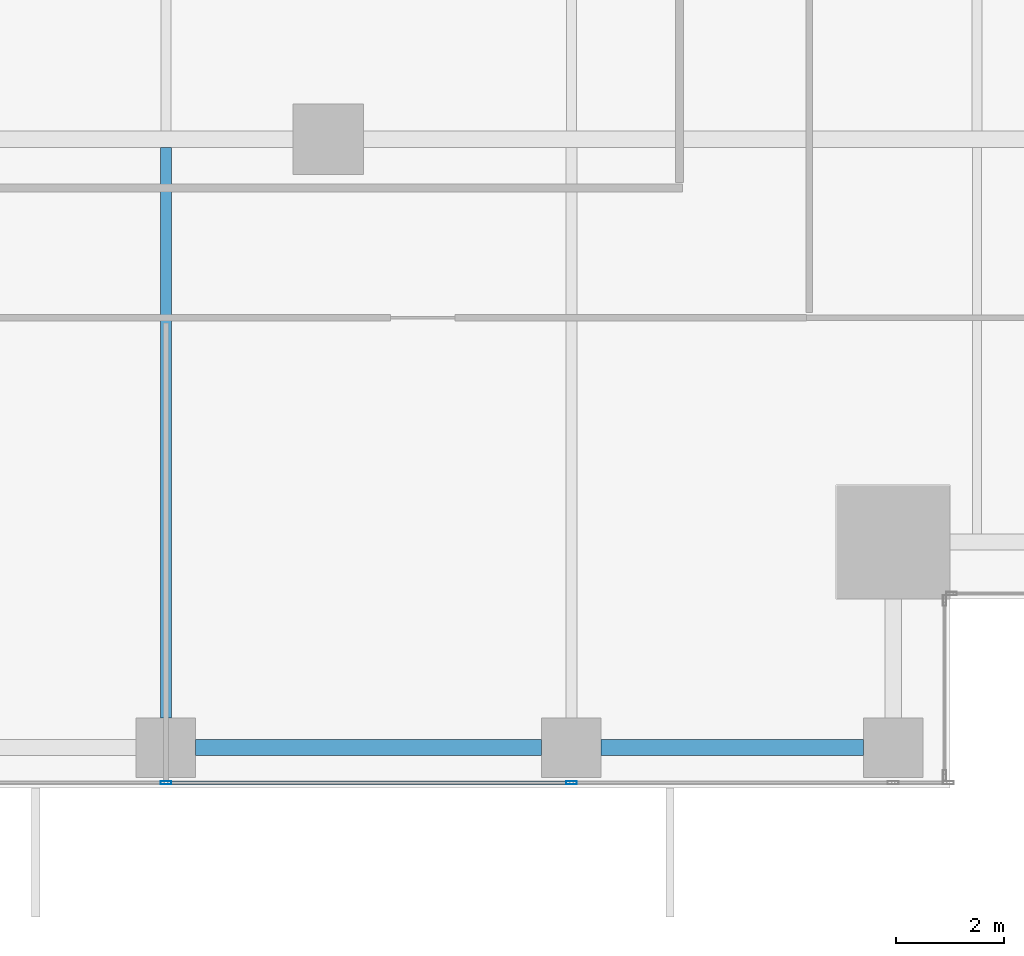
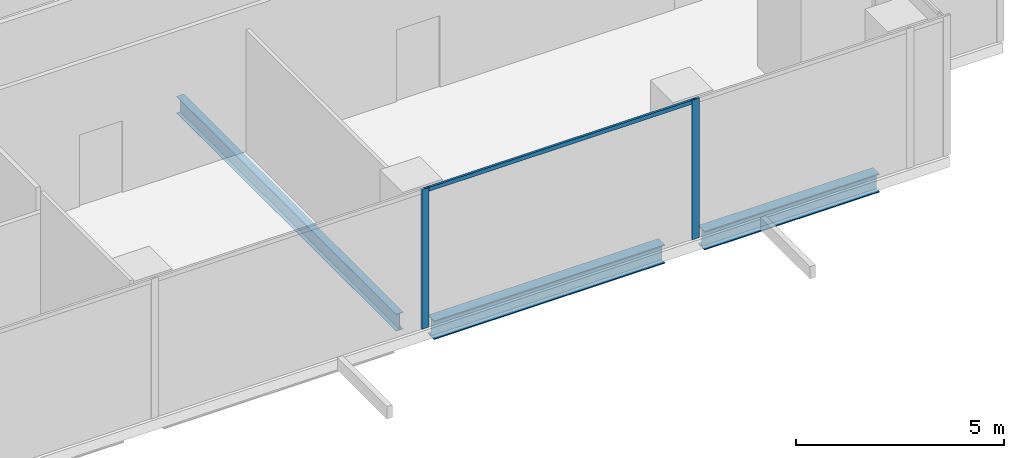
# One storey, part 9 of 35: 3 beams, 3 members, 1 element without a shape of its own.
"""IFC4 building model written with IfcOpenShell, lengths in metres."""

from ifc_helpers import new_model, si_unit, direction, frame, origin, origin_2d, place, context, subcontext, project, spatial, hollow_rectangle, i_section, extrude, source, transform, mapped, material, material_profile, profile_set, type_object, element, aggregate, save


model = new_model("IFC4")

# Units and contexts
model_context = context("Model", 3, precision=1e-05, world=origin(), true_north=direction((0.0, 1.0)))
body_context = subcontext(model_context, "Body", "Model", "MODEL_VIEW")
ifc_project = project(units=[si_unit("LENGTHUNIT", "METRE"), si_unit("AREAUNIT", "SQUARE_METRE"), si_unit("VOLUMEUNIT", "CUBIC_METRE"), si_unit("PLANEANGLEUNIT", "RADIAN"), si_unit("MASSUNIT", "GRAM", prefix="KILO")], contexts=[model_context])

# Site, building, storey
site_placement = place(None, origin())
site = spatial("IfcSite", under=ifc_project, at=site_placement, CompositionType="ELEMENT")
building_placement = place(site_placement, origin())
building = spatial("IfcBuilding", under=site, at=building_placement, Name="Khomas Fold Tower", CompositionType="ELEMENT")
storey_placement = place(building_placement, frame((0.0, 0.0, 132.300048828125)))
storey = spatial("IfcBuildingStorey", under=building, at=storey_placement, Name="L28", CompositionType="ELEMENT", Elevation=132.300048828125)

# Beams
ifc_material_1 = material(Name="Steel S355", Category="steel")
ifc_material_profile_1 = material_profile(ifc_material_1, i_section(OverallWidth=0.300048828125, OverallDepth=0.550048828125, WebThickness=0.014892578125, FlangeThickness=0.029052734375, at=origin_2d()), Name="HE 550 B")
ifc_profile_set_1 = profile_set([ifc_material_profile_1], Name="Steel S355")
beam_type_1 = type_object("IfcBeamType", Name="HE 550 B spandrel SB2", PredefinedType="SPANDREL", material=ifc_profile_set_1)
shared_shape_1 = source(origin(), body_context, "Body", "SweptSolid", [
    extrude(i_section(OverallWidth=0.300048828125, OverallDepth=0.550048828125, WebThickness=0.014892578125, FlangeThickness=0.029052734375, at=origin_2d()), origin(), (0.0, 0.0, 1.0), 4.849853515625),
])
beam_1_placement = place(storey_placement, frame((42.550048828125, 2.25, -0.574951171875), z_axis=(1.0, 0.0, 0.0), x_axis=(0.0, 1.0, 0.0)))
element("IfcBeam", 1, at=beam_1_placement, inside=storey, type_object=beam_type_1, Name="SB2", PredefinedType="SPANDREL", context=body_context, shape_type="MappedRepresentation", body=[
    mapped(shared_shape_1, transform((0.0, 0.0, 0.0))),
])
shared_shape_2 = source(origin(), body_context, "Body", "SweptSolid", [
    extrude(i_section(OverallWidth=0.300048828125, OverallDepth=0.550048828125, WebThickness=0.014892578125, FlangeThickness=0.029052734375, at=origin_2d()), origin(), (0.0, 0.0, 1.0), 6.39990234375),
])
beam_2_placement = place(storey_placement, frame((35.050048828125, 2.25, -0.574951171875), z_axis=(1.0, 0.0, 0.0), x_axis=(0.0, 1.0, 0.0)))
element("IfcBeam", 2, at=beam_2_placement, inside=storey, type_object=beam_type_1, Name="SB2", PredefinedType="SPANDREL", context=body_context, shape_type="MappedRepresentation", body=[
    mapped(shared_shape_2, transform((0.0, 0.0, 0.0))),
])
ifc_material_2 = material(Name="Steel S355", Category="steel")
ifc_material_profile_2 = material_profile(ifc_material_2, i_section(OverallWidth=0.199951171875, OverallDepth=0.5, WebThickness=0.01025390625, FlangeThickness=0.01611328125, at=origin_2d()), Name="IPE 500")
ifc_profile_set_2 = profile_set([ifc_material_profile_2], Name="Steel S355")
beam_type_2 = type_object("IfcBeamType", Name="IPE 500 beam JB5", PredefinedType="BEAM", material=ifc_profile_set_2)
shared_shape_3 = source(origin(), body_context, "Body", "SweptSolid", [
    extrude(i_section(OverallWidth=0.199951171875, OverallDepth=0.5, WebThickness=0.01025390625, FlangeThickness=0.01611328125, at=origin_2d()), origin(), (0.0, 0.0, 1.0), 10.550048828125),
])
beam_3_placement = place(storey_placement, frame((34.5, 2.800048828125, -0.550048828125), z_axis=(0.0, 1.0, 0.0), x_axis=(-1.0, 0.0, 0.0)))
element("IfcBeam", 3, at=beam_3_placement, inside=storey, type_object=beam_type_2, Name="JB5", PredefinedType="BEAM", context=body_context, shape_type="MappedRepresentation", body=[
    mapped(shared_shape_3, transform((0.0, 0.0, 0.0))),
])

# Curtain wall, members
ifc_material_3 = material(Name="Aluminium framed double glazing", Category="aluminium")
curtain_wall_type = type_object("IfcCurtainWallType", Name="SK-Unitised clear-glass wall, growing floors CW1", PredefinedType="NOTDEFINED", material=ifc_material_3)
curtain_wall_placement = place(storey_placement, origin())
curtain_wall = element("IfcCurtainWall", 4, at=curtain_wall_placement, inside=storey, type_object=curtain_wall_type, Name="CW1 run L28 00-0", PredefinedType="NOTDEFINED")
ifc_material_4 = material(Name="Aluminium", Category="aluminium")
ifc_material_profile_3 = material_profile(ifc_material_4, hollow_rectangle(XDim=0.06005859375, YDim=0.1201171875, WallThickness=0.00390625, at=origin_2d()), Name="SK-Unitised clear-glass wall, growing floors transom CW1-T")
ifc_profile_set_3 = profile_set([ifc_material_profile_3], Name="Aluminium")
member_type_1 = type_object("IfcMemberType", Name="SK-Unitised clear-glass wall, growing floors transom CW1-T", PredefinedType="USERDEFINED", material=ifc_profile_set_3)
shared_shape_4 = source(origin(), body_context, "Body", "SweptSolid", [
    extrude(hollow_rectangle(XDim=0.06005859375, YDim=0.1201171875, WallThickness=0.00390625, at=origin_2d()), origin(), (0.0, 0.0, 1.0), 7.43994140625),
])
member_1_placement = place(storey_placement, frame((34.530029296875, 1.60009765625, 4.0400390625), z_axis=(1.0, 0.0, 0.0), x_axis=(0.0, 1.0, 0.0)))
member_1 = element("IfcMember", 5, at=member_1_placement, type_object=member_type_1, Name="CW1 transom 6", ObjectType="TRANSOM", PredefinedType="USERDEFINED", context=body_context, shape_type="MappedRepresentation", body=[
    mapped(shared_shape_4, transform((0.0, 0.0, 0.0))),
])
ifc_material_5 = material(Name="Aluminium", Category="aluminium")
ifc_material_profile_4 = material_profile(ifc_material_5, hollow_rectangle(XDim=0.06005859375, YDim=0.199951171875, WallThickness=0.00390625, at=origin_2d()), Name="SK-Unitised clear-glass wall, growing floors mullion CW1-M")
ifc_profile_set_4 = profile_set([ifc_material_profile_4], Name="Aluminium")
member_type_2 = type_object("IfcMemberType", Name="SK-Unitised clear-glass wall, growing floors mullion CW1-M", PredefinedType="MULLION", material=ifc_profile_set_4)
shared_shape_5 = source(origin(), body_context, "Body", "SweptSolid", [
    extrude(hollow_rectangle(XDim=0.06005859375, YDim=0.199951171875, WallThickness=0.00390625, at=origin_2d()), origin(), (0.0, 0.0, 1.0), 4.099853515625),
])
member_2_placement = place(storey_placement, frame((34.5, 1.60009765625, 0.0), z_axis=(0.0, 0.0, 1.0), x_axis=(0.0, 1.0, 0.0)))
member_2 = element("IfcMember", 6, at=member_2_placement, type_object=member_type_2, Name="CW1 mullion 6", PredefinedType="MULLION", context=body_context, shape_type="MappedRepresentation", body=[
    mapped(shared_shape_5, transform((0.0, 0.0, 0.0))),
])
member_3_placement = place(storey_placement, frame((42.0, 1.60009765625, 0.0), z_axis=(0.0, 0.0, 1.0), x_axis=(0.0, 1.0, 0.0)))
member_3 = element("IfcMember", 7, at=member_3_placement, type_object=member_type_2, Name="CW1 mullion 7", PredefinedType="MULLION", context=body_context, shape_type="MappedRepresentation", body=[
    mapped(shared_shape_5, transform((0.0, 0.0, 0.0))),
])
aggregate(curtain_wall, [member_2, member_3, member_1])

save(model, "model.ifc")
